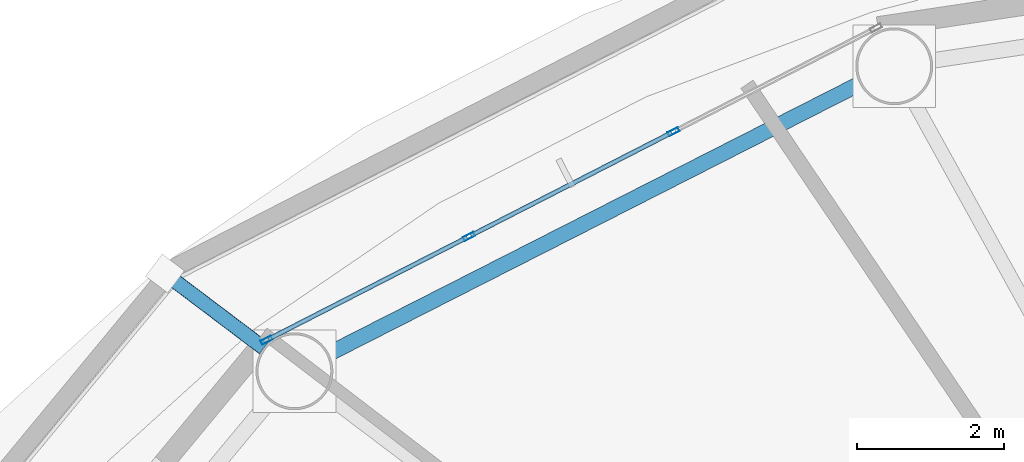
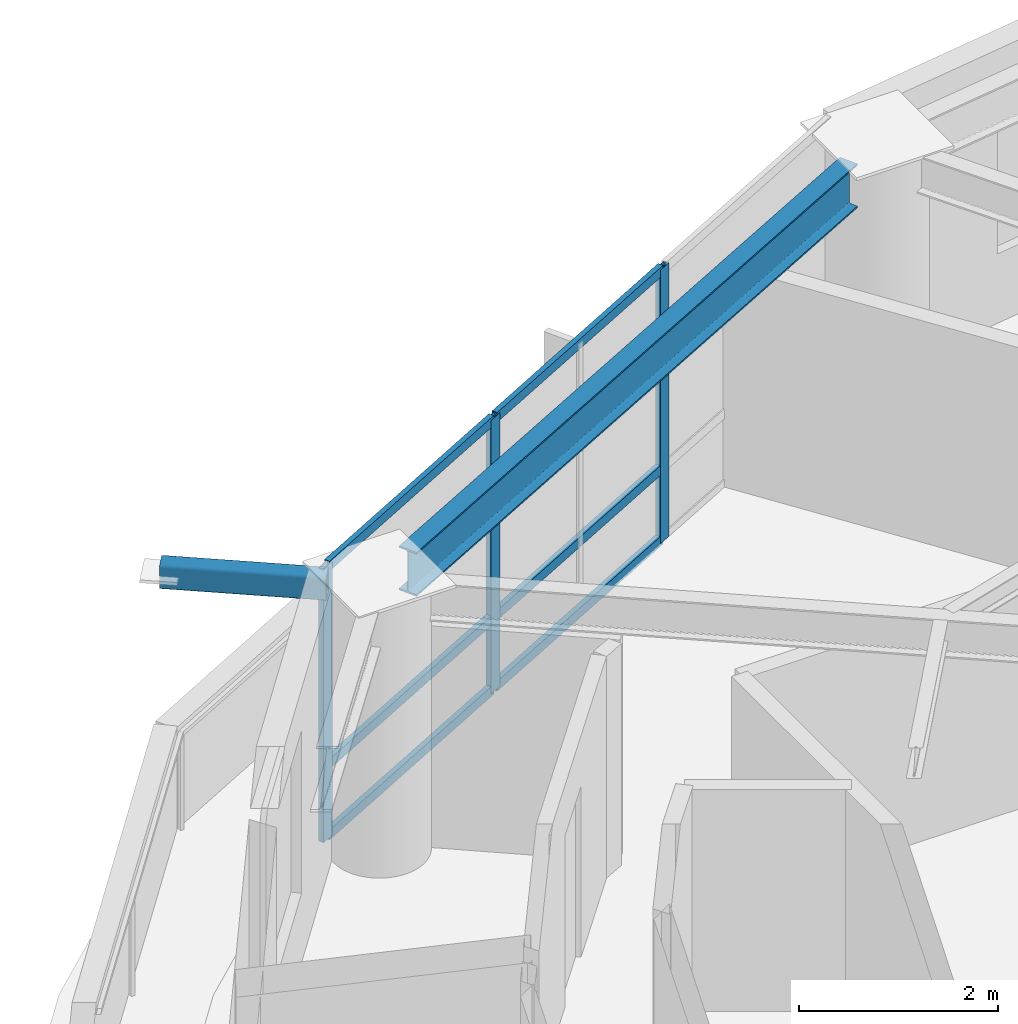
# One storey, part 8 of 22: 10 members, 1 beam, 1 element without a shape of its own.
"""IFC4 building model written with IfcOpenShell, lengths in metres."""

from ifc_helpers import new_model, si_unit, direction, frame, origin, origin_2d, place, context, subcontext, project, spatial, hollow_rectangle, i_section, extrude, material, layer, layer_set, material_profile, profile_set, type_object, element, aggregate, save


model = new_model("IFC4")

# Units and contexts
model_context = context("Model", 3, precision=1e-05, world=origin(), true_north=direction((0.0, 1.0)))
body_context = subcontext(model_context, "Body", "Model", "MODEL_VIEW")
ifc_project = project(units=[si_unit("LENGTHUNIT", "METRE"), si_unit("AREAUNIT", "SQUARE_METRE"), si_unit("VOLUMEUNIT", "CUBIC_METRE"), si_unit("PLANEANGLEUNIT", "RADIAN"), si_unit("MASSUNIT", "GRAM", prefix="KILO")], contexts=[model_context])

# Site, building, storey
site_placement = place(None, origin())
site = spatial("IfcSite", under=ifc_project, at=site_placement, CompositionType="ELEMENT")
building_placement = place(site_placement, origin())
building = spatial("IfcBuilding", under=site, at=building_placement, Name="Sarneth Arch Tower", CompositionType="ELEMENT")
storey_placement = place(building_placement, frame((0.0, 0.0, 206.39990234375)))
storey = spatial("IfcBuildingStorey", under=building, at=storey_placement, Name="L52", CompositionType="ELEMENT", Elevation=206.39990234375)

# Beam
ifc_material_1 = material(Name="Steel S355", Category="steel")
ifc_material_profile_1 = material_profile(ifc_material_1, i_section(OverallWidth=0.2109375, OverallDepth=0.5390625, WebThickness=0.01171875, FlangeThickness=0.018798828125, FilletRadius=0.01806640625, at=origin_2d()), Name="W530x109")
ifc_profile_set_1 = profile_set([ifc_material_profile_1], Name="Steel S355")
beam_type = type_object("IfcBeamType", Name="BM-RAD-530B", PredefinedType="BEAM", material=ifc_profile_set_1)
beam_placement = place(storey_placement, frame((37.7412109375, 59.50048828125, 3.090576171875), z_axis=(-0.891368271482, -0.453279830342, 0.0), x_axis=(0.453279830342, -0.891368271482, 0.0)))
element("IfcBeam", 1, at=beam_placement, inside=storey, type_object=beam_type, Name="L52 Perimeter spandrel beam 06", PredefinedType="BEAM", context=body_context, shape_type="SweptSolid", body=[
    extrude(i_section(OverallWidth=0.2109375, OverallDepth=0.5390625, WebThickness=0.01171875, FlangeThickness=0.018798828125, FilletRadius=0.01806640625, at=origin_2d()), origin(), (0.0, 0.0, 1.0), 8.1318359375),
])

# Curtain wall, members
ifc_material_2 = material(Name="Anodised aluminium Type AA25 and solar-control low-e laminated IGU", Category="aluminium")
ifc_layer = layer(ifc_material_2, 0.179931640625)
ifc_layer_set = layer_set([ifc_layer], Name="Anodised aluminium Type AA25 and solar-control low-e laminated IGU")
curtain_wall_type = type_object("IfcCurtainWallType", Name="CW-RES-HIGH", PredefinedType="NOTDEFINED", material=ifc_layer_set)
curtain_wall_placement = place(storey_placement, origin())
curtain_wall = element("IfcCurtainWall", 2, at=curtain_wall_placement, inside=storey, type_object=curtain_wall_type, Name="L52 Unitised curtain wall facet 06", PredefinedType="NOTDEFINED")
ifc_material_3 = material(Name="Anodised Aluminium 6063-T6", Category="aluminium")
ifc_material_profile_2 = material_profile(ifc_material_3, hollow_rectangle(XDim=0.06005859375, YDim=0.159912109375, WallThickness=0.00390625, at=origin_2d()), Name="AL-MULL-160x60x4")
ifc_profile_set_2 = profile_set([ifc_material_profile_2], Name="Anodised Aluminium 6063-T6")
member_type_1 = type_object("IfcMemberType", Name="CW-MULLION", PredefinedType="MULLION", material=ifc_profile_set_2)
member_1_placement = place(storey_placement, frame((35.197509765625, 58.844970703125, 0.0), z_axis=(0.0, 0.0, 1.0), x_axis=(0.455941901753, -0.890009540525, 0.0)))
member_1 = element("IfcMember", 3, at=member_1_placement, type_object=member_type_1, Name="CW-SYS-6 mullion 2", PredefinedType="MULLION", context=body_context, shape_type="SweptSolid", body=[
    extrude(hollow_rectangle(XDim=0.06005859375, YDim=0.159912109375, WallThickness=0.00390625, at=origin_2d()), origin(), (0.0, 0.0, 1.0), 3.360107421875),
])
member_2_placement = place(storey_placement, frame((32.407470703125, 57.415771484375, 0.0), z_axis=(0.0, 0.0, 1.0), x_axis=(0.455941901753, -0.890009540525, 0.0)))
member_2 = element("IfcMember", 4, at=member_2_placement, type_object=member_type_1, Name="CW-SYS-6 mullion 3", PredefinedType="MULLION", context=body_context, shape_type="SweptSolid", body=[
    extrude(hollow_rectangle(XDim=0.06005859375, YDim=0.159912109375, WallThickness=0.00390625, at=origin_2d()), origin(), (0.0, 0.0, 1.0), 3.360107421875),
])
member_3_placement = place(storey_placement, frame((29.644287109375, 56.000244140625, 0.0), z_axis=(0.0, 0.0, 1.0), x_axis=(0.455941901753, -0.890009540525, 0.0)))
member_3 = element("IfcMember", 5, at=member_3_placement, type_object=member_type_1, Name="CW-SYS-6 mullion 4", PredefinedType="MULLION", context=body_context, shape_type="SweptSolid", body=[
    extrude(hollow_rectangle(XDim=0.06005859375, YDim=0.159912109375, WallThickness=0.00390625, at=origin_2d()), origin(), (0.0, 0.0, 1.0), 3.360107421875),
])
ifc_material_4 = material(Name="Anodised Aluminium 6063-T6", Category="aluminium")
ifc_material_profile_3 = material_profile(ifc_material_4, hollow_rectangle(XDim=0.06005859375, YDim=0.1201171875, WallThickness=0.00390625, at=origin_2d()), Name="AL-TRAN-120x60x4")
ifc_profile_set_3 = profile_set([ifc_material_profile_3], Name="Anodised Aluminium 6063-T6")
member_type_2 = type_object("IfcMemberType", Name="CW-TRANSOM", PredefinedType="USERDEFINED", material=ifc_profile_set_3)
member_4_placement = place(storey_placement, frame((35.170654296875, 58.831298828125, 0.030029296875), z_axis=(-0.890017432405, -0.455926496286, 0.0), x_axis=(0.455926496286, -0.890017432405, 0.0)))
member_4 = element("IfcMember", 6, at=member_4_placement, type_object=member_type_2, Name="CW-SYS-6 transom 2.1", ObjectType="TRANSOM", PredefinedType="USERDEFINED", context=body_context, shape_type="SweptSolid", body=[
    extrude(hollow_rectangle(XDim=0.06005859375, YDim=0.1201171875, WallThickness=0.00390625, at=origin_2d()), origin(), (0.0, 0.0, 1.0), 3.07470703125),
])
member_5_placement = place(storey_placement, frame((35.170654296875, 58.831298828125, 0.900146484375), z_axis=(-0.890017432405, -0.455926496286, 0.0), x_axis=(0.455926496286, -0.890017432405, 0.0)))
member_5 = element("IfcMember", 7, at=member_5_placement, type_object=member_type_2, Name="CW-SYS-6 transom 2.2", ObjectType="TRANSOM", PredefinedType="USERDEFINED", context=body_context, shape_type="SweptSolid", body=[
    extrude(hollow_rectangle(XDim=0.06005859375, YDim=0.1201171875, WallThickness=0.00390625, at=origin_2d()), origin(), (0.0, 0.0, 1.0), 3.07470703125),
])
member_6_placement = place(storey_placement, frame((35.170654296875, 58.831298828125, 3.330078125), z_axis=(-0.890017432405, -0.455926496286, 0.0), x_axis=(0.455926496286, -0.890017432405, 0.0)))
member_6 = element("IfcMember", 8, at=member_6_placement, type_object=member_type_2, Name="CW-SYS-6 transom 2.3", ObjectType="TRANSOM", PredefinedType="USERDEFINED", context=body_context, shape_type="SweptSolid", body=[
    extrude(hollow_rectangle(XDim=0.06005859375, YDim=0.1201171875, WallThickness=0.00390625, at=origin_2d()), origin(), (0.0, 0.0, 1.0), 3.07470703125),
])
member_7_placement = place(storey_placement, frame((32.380859375, 57.402099609375, 0.030029296875), z_axis=(-0.890022732705, -0.455916149384, 0.0), x_axis=(0.455916149384, -0.890022732705, 0.0)))
member_7 = element("IfcMember", 9, at=member_7_placement, type_object=member_type_2, Name="CW-SYS-6 transom 3.1", ObjectType="TRANSOM", PredefinedType="USERDEFINED", context=body_context, shape_type="SweptSolid", body=[
    extrude(hollow_rectangle(XDim=0.06005859375, YDim=0.1201171875, WallThickness=0.00390625, at=origin_2d()), origin(), (0.0, 0.0, 1.0), 3.044921875),
])
member_8_placement = place(storey_placement, frame((32.380859375, 57.402099609375, 0.900146484375), z_axis=(-0.890022732705, -0.455916149384, 0.0), x_axis=(0.455916149384, -0.890022732705, 0.0)))
member_8 = element("IfcMember", 10, at=member_8_placement, type_object=member_type_2, Name="CW-SYS-6 transom 3.2", ObjectType="TRANSOM", PredefinedType="USERDEFINED", context=body_context, shape_type="SweptSolid", body=[
    extrude(hollow_rectangle(XDim=0.06005859375, YDim=0.1201171875, WallThickness=0.00390625, at=origin_2d()), origin(), (0.0, 0.0, 1.0), 3.044921875),
])
member_9_placement = place(storey_placement, frame((32.380859375, 57.402099609375, 3.330078125), z_axis=(-0.890022732705, -0.455916149384, 0.0), x_axis=(0.455916149384, -0.890022732705, 0.0)))
member_9 = element("IfcMember", 11, at=member_9_placement, type_object=member_type_2, Name="CW-SYS-6 transom 3.3", ObjectType="TRANSOM", PredefinedType="USERDEFINED", context=body_context, shape_type="SweptSolid", body=[
    extrude(hollow_rectangle(XDim=0.06005859375, YDim=0.1201171875, WallThickness=0.00390625, at=origin_2d()), origin(), (0.0, 0.0, 1.0), 3.044921875),
])
aggregate(curtain_wall, [member_1, member_2, member_3, member_4, member_5, member_6, member_7, member_8, member_9])

# Member
ifc_material_5 = material(Name="Steel S355", Category="steel")
ifc_material_profile_4 = material_profile(ifc_material_5, hollow_rectangle(XDim=0.199951171875, YDim=0.300048828125, WallThickness=0.012451171875, InnerFilletRadius=0.018798828125, OuterFilletRadius=0.03125, at=origin_2d()), Name="RHS300x200x12.5")
ifc_profile_set_4 = profile_set([ifc_material_profile_4], Name="Steel S355")
member_type_3 = type_object("IfcMemberType", Name="MEM-CANT-STRUT", PredefinedType="STRUT", material=ifc_profile_set_4)
member_10_placement = place(storey_placement, frame((29.60595703125, 55.892822265625, 3.2001953125), z_axis=(-0.797947690042, 0.60272670752, 0.0), x_axis=(-0.60272670752, -0.797947690042, 0.0)))
element("IfcMember", 12, at=member_10_placement, inside=storey, type_object=member_type_3, Name="L52 Balcony cantilever bracket 07", PredefinedType="STRUT", context=body_context, shape_type="SweptSolid", body=[
    extrude(hollow_rectangle(XDim=0.199951171875, YDim=0.300048828125, WallThickness=0.012451171875, InnerFilletRadius=0.018798828125, OuterFilletRadius=0.03125, at=origin_2d()), origin(), (0.0, 0.0, 1.0), 1.688232421875),
])

save(model, "model.ifc")
